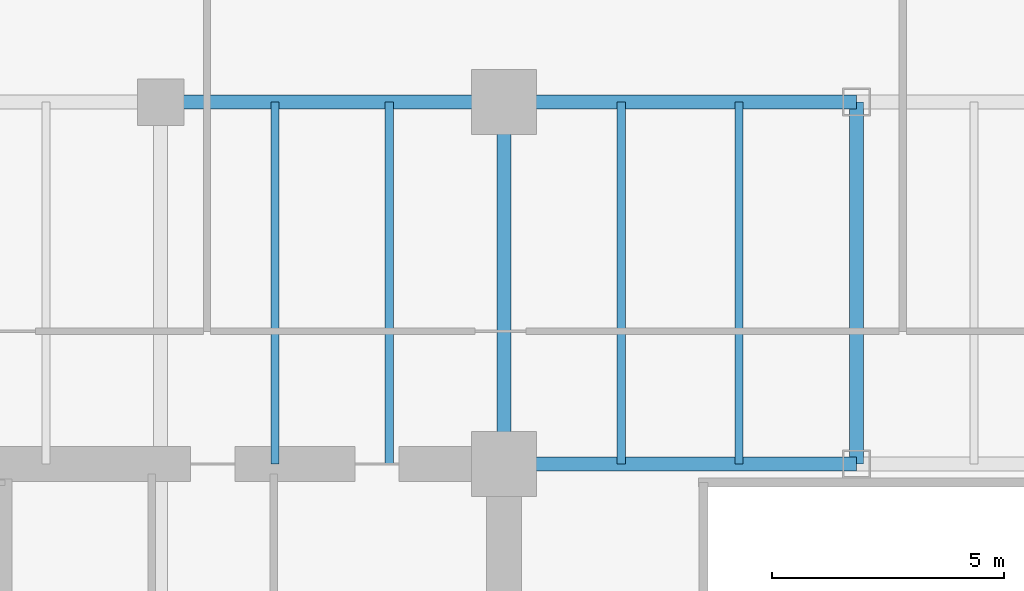
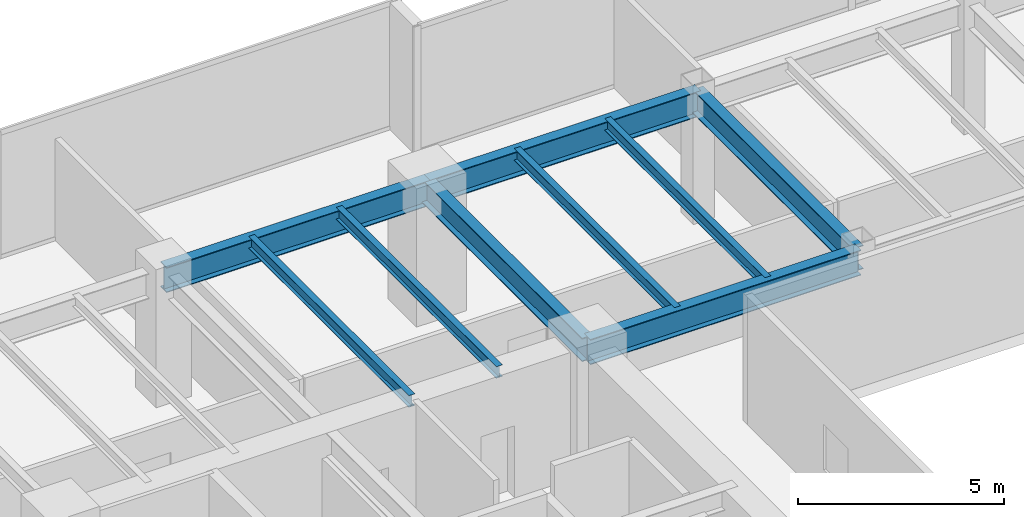
# One storey, part 13 of 35: 9 beams.
"""IFC4 building model written with IfcOpenShell, lengths in metres."""

from ifc_helpers import new_model, si_unit, direction, frame, origin, origin_2d, place, context, subcontext, project, spatial, i_section, extrude, source, transform, mapped, material, material_profile, profile_set, type_object, type_shapes, element, save


model = new_model("IFC4")

# Units and contexts
model_context = context("Model", 3, precision=1e-05, world=origin(), true_north=direction((0.0, 1.0)))
body_context = subcontext(model_context, "Body", "Model", "MODEL_VIEW")
ifc_project = project(units=[si_unit("LENGTHUNIT", "METRE"), si_unit("AREAUNIT", "SQUARE_METRE"), si_unit("VOLUMEUNIT", "CUBIC_METRE"), si_unit("PLANEANGLEUNIT", "RADIAN"), si_unit("MASSUNIT", "GRAM", prefix="KILO")], contexts=[model_context])

# Site, building, storey
site_placement = place(None, origin())
site = spatial("IfcSite", under=ifc_project, at=site_placement, CompositionType="ELEMENT")
building_placement = place(site_placement, origin())
building = spatial("IfcBuilding", under=site, at=building_placement, Name="Haelvirn Gate Laboratories", CompositionType="ELEMENT")
storey_placement = place(building_placement, frame((0.0, 0.0, 37.5)))
storey = spatial("IfcBuildingStorey", under=building, at=storey_placement, Name="L09", CompositionType="ELEMENT", Elevation=37.5)

# Beams
ifc_material = material(Name="Steel SM355", Category="steel")
ifc_material_profile_1 = material_profile(ifc_material, i_section(OverallWidth=0.300048828125, OverallDepth=0.699951171875, WebThickness=0.012939453125, FlangeThickness=0.02392578125, at=origin_2d()), Name="H-700x300x13x24")
ifc_profile_set_1 = profile_set([ifc_material_profile_1], Name="Steel SM355")
beam_type_1 = type_object("IfcBeamType", Name="BM-G-700", PredefinedType="BEAM", material=ifc_profile_set_1)
shared_shape_1 = source(origin(), body_context, "Body", "SweptSolid", [
    extrude(i_section(OverallWidth=0.300048828125, OverallDepth=0.699951171875, WebThickness=0.012939453125, FlangeThickness=0.02392578125, at=origin_2d()), origin(), (0.0, 0.0, 1.0), 7.800048828125),
])
type_shapes(beam_type_1, [shared_shape_1])
for number, where, z_axis, x_axis, name in (
    (1, (22.199951171875, 33.800048828125, 3.429931640625), (0.0, 1.0, 0.0), (-1.0, 0.0, 0.0), "L09 Frame Girder X22.2 (33.8-41.6)"),
    (2, (29.800048828125, 33.800048828125, 3.429931640625), (0.0, 1.0, 0.0), (-1.0, 0.0, 0.0), "L09 Frame Girder X29.8 (33.8-41.6)"),
):
    element("IfcBeam", number, at=place(storey_placement, frame(where, z_axis=z_axis, x_axis=x_axis)), inside=storey, type_object=beam_type_1, Name=name, PredefinedType="BEAM", context=body_context, shape_type="MappedRepresentation", body=[
        mapped(shared_shape_1, transform((0.0, 0.0, 0.0), scale=1.0)),
    ])
ifc_material_profile_2 = material_profile(ifc_material, i_section(OverallWidth=0.300048828125, OverallDepth=0.75, WebThickness=0.013916015625, FlangeThickness=0.02392578125, at=origin_2d()), Name="H-750x300x14x24")
ifc_profile_set_2 = profile_set([ifc_material_profile_2], Name="Steel SM355")
beam_type_2 = type_object("IfcBeamType", Name="BM-G-750", PredefinedType="BEAM", material=ifc_profile_set_2)
shared_shape_2 = source(origin(), body_context, "Body", "SweptSolid", [
    extrude(i_section(OverallWidth=0.300048828125, OverallDepth=0.75, WebThickness=0.013916015625, FlangeThickness=0.02392578125, at=origin_2d()), origin(), (0.0, 0.0, 1.0), 7.39990234375),
])
beam_placement = place(storey_placement, frame((14.800048828125, 41.60009765625, 3.405029296875), z_axis=(1.0, 0.0, 0.0), x_axis=(0.0, 1.0, 0.0)))
element("IfcBeam", 3, at=beam_placement, inside=storey, type_object=beam_type_2, Name="L09 Primary Girder Y41.6 (14.8-22.2)", PredefinedType="BEAM", context=body_context, shape_type="MappedRepresentation", body=[
    mapped(shared_shape_2, transform((0.0, 0.0, 0.0), scale=1.0)),
])
shared_shape_3 = source(origin(), body_context, "Body", "SweptSolid", [
    extrude(i_section(OverallWidth=0.300048828125, OverallDepth=0.75, WebThickness=0.013916015625, FlangeThickness=0.02392578125, at=origin_2d()), origin(), (0.0, 0.0, 1.0), 7.60009765625),
])
type_shapes(beam_type_2, [shared_shape_2, shared_shape_3])
for number, where, z_axis, x_axis, name in (
    (4, (22.199951171875, 33.800048828125, 3.405029296875), (1.0, 0.0, 0.0), (0.0, 1.0, 0.0), "L09 Primary Girder Y33.8 (22.2-29.8)"),
    (5, (22.199951171875, 41.60009765625, 3.405029296875), (1.0, 0.0, 0.0), (0.0, 1.0, 0.0), "L09 Primary Girder Y41.6 (22.2-29.8)"),
):
    element("IfcBeam", number, at=place(storey_placement, frame(where, z_axis=z_axis, x_axis=x_axis)), inside=storey, type_object=beam_type_2, Name=name, PredefinedType="BEAM", context=body_context, shape_type="MappedRepresentation", body=[
        mapped(shared_shape_3, transform((0.0, 0.0, 0.0), scale=1.0)),
    ])
ifc_material_profile_3 = material_profile(ifc_material, i_section(OverallWidth=0.175048828125, OverallDepth=0.35009765625, WebThickness=0.007080078125, FlangeThickness=0.010986328125, at=origin_2d()), Name="H-350x175x7x11")
ifc_profile_set_3 = profile_set([ifc_material_profile_3], Name="Steel SM355")
beam_type_3 = type_object("IfcBeamType", Name="BM-J-350", PredefinedType="JOIST", material=ifc_profile_set_3)
shared_shape_4 = source(origin(), body_context, "Body", "SweptSolid", [
    extrude(i_section(OverallWidth=0.175048828125, OverallDepth=0.35009765625, WebThickness=0.007080078125, FlangeThickness=0.010986328125, at=origin_2d()), origin(), (0.0, 0.0, 1.0), 7.800048828125),
])
type_shapes(beam_type_3, [shared_shape_4])
for number, where, z_axis, x_axis, name in (
    (6, (17.27001953125, 33.800048828125, 3.60498046875), (0.0, 1.0, 0.0), (-1.0, 0.0, 0.0), "L09 Composite Lab Joist North X17.27"),
    (7, (19.72998046875, 33.800048828125, 3.60498046875), (0.0, 1.0, 0.0), (-1.0, 0.0, 0.0), "L09 Composite Lab Joist North X19.73"),
    (8, (24.72998046875, 33.800048828125, 3.60498046875), (0.0, 1.0, 0.0), (-1.0, 0.0, 0.0), "L09 Composite Lab Joist North X24.73"),
    (9, (27.27001953125, 33.800048828125, 3.60498046875), (0.0, 1.0, 0.0), (-1.0, 0.0, 0.0), "L09 Composite Lab Joist North X27.27"),
):
    element("IfcBeam", number, at=place(storey_placement, frame(where, z_axis=z_axis, x_axis=x_axis)), inside=storey, type_object=beam_type_3, Name=name, PredefinedType="JOIST", context=body_context, shape_type="MappedRepresentation", body=[
        mapped(shared_shape_4, transform((0.0, 0.0, 0.0), scale=1.0)),
    ])

save(model, "model.ifc")
